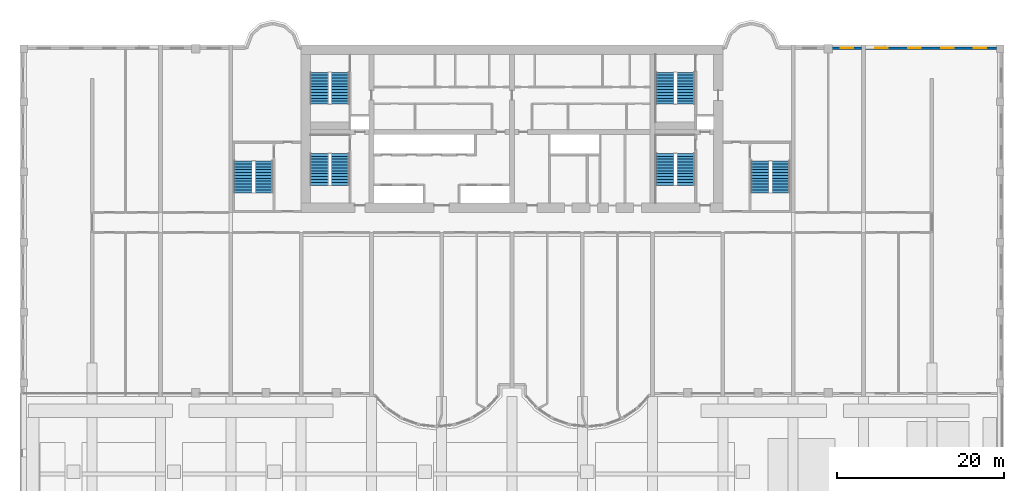
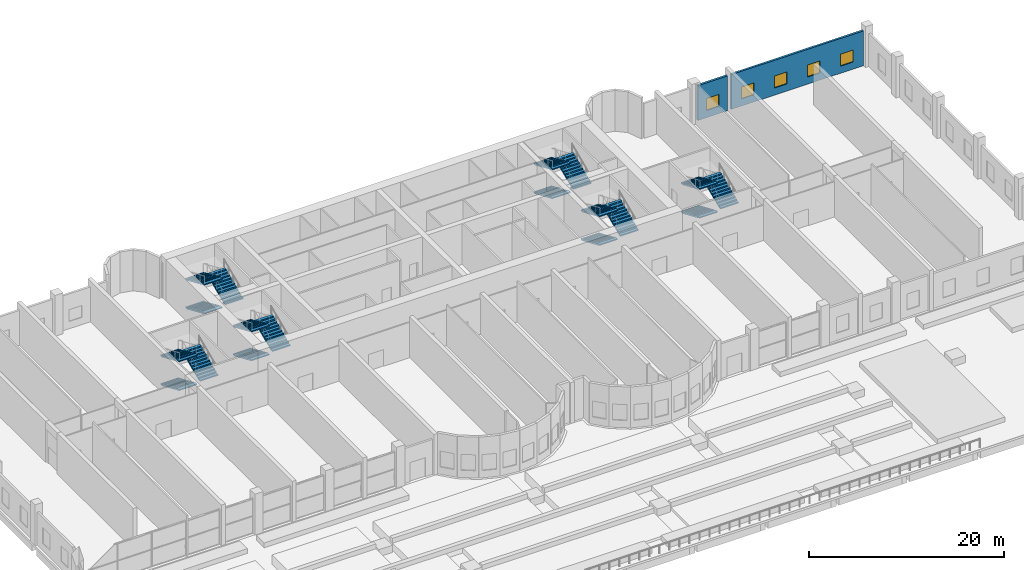
# One storey, part 17 of 20: 18 stair flights, 5 windows, 2 walls, 5 openings, 6 elements without a shape of their own.
"""IFC4 building model written with IfcOpenShell, lengths in metres."""

from ifc_helpers import new_model, si_unit, direction, frame, frame_2d, origin, place, context, subcontext, project, spatial, polyline, rectangle, outline, extrude, source, transform, mapped, material, layer, layer_set, type_object, element, fill, aggregate, save


model = new_model("IFC4")

# Units and contexts
model_context = context("Model", 3, precision=1e-05, world=origin(), true_north=direction((0.0, 1.0)))
body_context = subcontext(model_context, "Body", "Model", "MODEL_VIEW")
ifc_project = project(units=[si_unit("LENGTHUNIT", "METRE"), si_unit("AREAUNIT", "SQUARE_METRE"), si_unit("VOLUMEUNIT", "CUBIC_METRE"), si_unit("PLANEANGLEUNIT", "RADIAN"), si_unit("MASSUNIT", "GRAM", prefix="KILO")], contexts=[model_context])

# Site, building, storey
site_placement = place(None, origin())
site = spatial("IfcSite", under=ifc_project, at=site_placement, CompositionType="ELEMENT")
building_placement = place(site_placement, origin())
building = spatial("IfcBuilding", under=site, at=building_placement, Name="Vanashikhar Sky Hotel", CompositionType="ELEMENT")
storey_placement = place(building_placement, frame((0.0, 0.0, 6.0)))
storey = spatial("IfcBuildingStorey", under=building, at=storey_placement, Name="L01", CompositionType="ELEMENT", Elevation=6.0)

# Wall, opening, window
ifc_material_1 = material(Name="Concrete M50", Category="concrete")
ifc_layer = layer(ifc_material_1, 0.25)
ifc_layer_set = layer_set([ifc_layer], Name="Rear and end board-marked wall 250")
wall_type = type_object("IfcWallType", Name="Rear and end board-marked wall 250", PredefinedType="SOLIDWALL", material=ifc_layer_set)
shared_shape_1 = source(origin(), body_context, "Body", "SweptSolid", [
    extrude(rectangle(XDim=3.525146484375, YDim=0.25, at=frame_2d((1.7626953125, 0.0))), origin(), (0.0, 0.0, 1.0), 4.3701171875),
])
wall_1_placement = place(storey_placement, frame((92.175048828125, 41.625, 0.0), z_axis=(0.0, 0.0, 1.0), x_axis=(-1.0, 0.0, 0.0)))
wall_1 = element("IfcWall", 1, at=wall_1_placement, inside=storey, type_object=wall_type, Name="Podium external wall", PredefinedType="SOLIDWALL", context=body_context, shape_type="MappedRepresentation", body=[
    mapped(shared_shape_1, transform((0.0, 0.0, 0.0), scale=1.0)),
])
shared_shape_2 = source(origin(), body_context, "Body", "SweptSolid", [
    extrude(rectangle(XDim=1.5, YDim=1.5, at=frame_2d((0.75, 0.75))), frame((0.0, 0.135009765625, 0.0), z_axis=(0.0, -1.0, 0.0), x_axis=(1.0, 0.0, 0.0)), (0.0, 0.0, 1.0), 0.27001953125),
])
opening_1_placement = place(wall_1_placement, frame((1.012451171875, 0.0, 0.89990234375)))
opening_1 = element("IfcOpeningElement", 2, at=opening_1_placement, cuts=wall_1, Name="Opening WN-1", PredefinedType="OPENING", context=body_context, shape_type="MappedRepresentation", body=[
    mapped(shared_shape_2, transform((0.0, 0.0, 0.0), scale=1.0)),
])
ifc_material_2 = material(Name="Glass", Category="glass")
window_type = type_object("IfcWindowType", Name="Window 1500 x 1500", PartitioningType="SINGLE_PANEL", PredefinedType="WINDOW", material=ifc_material_2)
shared_shape_3 = source(origin(), body_context, "Body", "SweptSolid", [
    extrude(rectangle(XDim=1.5, YDim=1.5, at=frame_2d((0.75, 0.75))), frame((0.0, 0.030029296875, 0.0), z_axis=(0.0, -1.0, 0.0), x_axis=(1.0, 0.0, 0.0)), (0.0, 0.0, 1.0), 0.06005859375),
])
window_1_placement = place(opening_1_placement, origin())
window_1 = element("IfcWindow", 3, at=window_1_placement, inside=storey, type_object=window_type, Name="Window WN-1", OverallHeight=1.5, OverallWidth=1.5, PartitioningType="SINGLE_PANEL", PredefinedType="WINDOW", context=body_context, shape_type="MappedRepresentation", body=[
    mapped(shared_shape_3, transform((0.0, 0.0, 0.0), scale=1.0)),
])
fill(opening_1, window_1)

# Wall, openings, windows
shared_shape_4 = source(origin(), body_context, "Body", "SweptSolid", [
    extrude(rectangle(XDim=15.675048828125, YDim=0.25, at=frame_2d((7.83740234375, 0.0))), origin(), (0.0, 0.0, 1.0), 4.3701171875),
])
wall_2_placement = place(storey_placement, frame((108.300048828125, 41.625, 0.0), z_axis=(0.0, 0.0, 1.0), x_axis=(-1.0, 0.0, 0.0)))
wall_2 = element("IfcWall", 4, at=wall_2_placement, inside=storey, type_object=wall_type, Name="Podium external wall", PredefinedType="SOLIDWALL", context=body_context, shape_type="MappedRepresentation", body=[
    mapped(shared_shape_4, transform((0.0, 0.0, 0.0), scale=1.0)),
])
opening_2_placement = place(wall_2_placement, frame((1.20947265625, 0.0, 0.89990234375)))
opening_2 = element("IfcOpeningElement", 5, at=opening_2_placement, cuts=wall_2, Name="Opening WN-1", PredefinedType="OPENING", context=body_context, shape_type="MappedRepresentation", body=[
    mapped(shared_shape_2, transform((0.0, 0.0, 0.0), scale=1.0)),
])
opening_3_placement = place(wall_2_placement, frame((5.128173828125, 0.0, 0.89990234375)))
opening_3 = element("IfcOpeningElement", 6, at=opening_3_placement, cuts=wall_2, Name="Opening WN-1", PredefinedType="OPENING", context=body_context, shape_type="MappedRepresentation", body=[
    mapped(shared_shape_2, transform((0.0, 0.0, 0.0), scale=1.0)),
])
opening_4_placement = place(wall_2_placement, frame((9.046875, 0.0, 0.89990234375)))
opening_4 = element("IfcOpeningElement", 7, at=opening_4_placement, cuts=wall_2, Name="Opening WN-1", PredefinedType="OPENING", context=body_context, shape_type="MappedRepresentation", body=[
    mapped(shared_shape_2, transform((0.0, 0.0, 0.0), scale=1.0)),
])
opening_5_placement = place(wall_2_placement, frame((12.965576171875, 0.0, 0.89990234375)))
opening_5 = element("IfcOpeningElement", 8, at=opening_5_placement, cuts=wall_2, Name="Opening WN-1", PredefinedType="OPENING", context=body_context, shape_type="MappedRepresentation", body=[
    mapped(shared_shape_2, transform((0.0, 0.0, 0.0), scale=1.0)),
])
window_2_placement = place(opening_2_placement, origin())
window_2 = element("IfcWindow", 9, at=window_2_placement, inside=storey, type_object=window_type, Name="Window WN-1", OverallHeight=1.5, OverallWidth=1.5, PartitioningType="SINGLE_PANEL", PredefinedType="WINDOW", context=body_context, shape_type="MappedRepresentation", body=[
    mapped(shared_shape_3, transform((0.0, 0.0, 0.0), scale=1.0)),
])
fill(opening_2, window_2)
window_3_placement = place(opening_3_placement, origin())
window_3 = element("IfcWindow", 10, at=window_3_placement, inside=storey, type_object=window_type, Name="Window WN-1", OverallHeight=1.5, OverallWidth=1.5, PartitioningType="SINGLE_PANEL", PredefinedType="WINDOW", context=body_context, shape_type="MappedRepresentation", body=[
    mapped(shared_shape_3, transform((0.0, 0.0, 0.0), scale=1.0)),
])
fill(opening_3, window_3)
window_4_placement = place(opening_4_placement, origin())
window_4 = element("IfcWindow", 11, at=window_4_placement, inside=storey, type_object=window_type, Name="Window WN-1", OverallHeight=1.5, OverallWidth=1.5, PartitioningType="SINGLE_PANEL", PredefinedType="WINDOW", context=body_context, shape_type="MappedRepresentation", body=[
    mapped(shared_shape_3, transform((0.0, 0.0, 0.0), scale=1.0)),
])
fill(opening_4, window_4)
window_5_placement = place(opening_5_placement, origin())
window_5 = element("IfcWindow", 12, at=window_5_placement, inside=storey, type_object=window_type, Name="Window WN-1", OverallHeight=1.5, OverallWidth=1.5, PartitioningType="SINGLE_PANEL", PredefinedType="WINDOW", context=body_context, shape_type="MappedRepresentation", body=[
    mapped(shared_shape_3, transform((0.0, 0.0, 0.0), scale=1.0)),
])
fill(opening_5, window_5)

# Stair, stair flights
ifc_material_3 = material(Name="Concrete M40", Category="concrete")
stair_type = type_object("IfcStairType", Name="Exit stair 2150", PredefinedType="DOUBLE_RETURN_STAIR", material=ifc_material_3)
stair_1_placement = place(storey_placement, origin())
stair_1 = element("IfcStair", 13, at=stair_1_placement, inside=storey, type_object=stair_type, Name="L01 Exit stair 1", PredefinedType="DOUBLE_RETURN_STAIR")
stair_flight_type = type_object("IfcStairFlightType", Name="Stair flight 2150", PredefinedType="STRAIGHT", material=ifc_material_3)
shared_shape_5 = source(origin(), body_context, "Body", "SweptSolid", [
    extrude(outline(polyline([(0.0, 0.0), (0.0, 0.14990234375), (0.345458984375, 0.14990234375), (0.345458984375, 0.300048828125), (0.69091796875, 0.300048828125), (0.69091796875, 0.449951171875), (1.036376953125, 0.449951171875), (1.036376953125, 0.60009765625), (1.3818359375, 0.60009765625), (1.3818359375, 0.75), (1.727294921875, 0.75), (1.727294921875, 0.89990234375), (2.07275390625, 0.89990234375), (2.07275390625, 1.050048828125), (2.418212890625, 1.050048828125), (2.418212890625, 1.199951171875), (2.763671875, 1.199951171875), (2.763671875, 1.35009765625), (3.109130859375, 1.35009765625), (3.109130859375, 1.5), (3.45458984375, 1.5), (3.45458984375, 1.64990234375), (3.800048828125, 1.64990234375), (3.800048828125, 1.800048828125), (3.800048828125, 1.51904296875), (0.301513671875, 0.0), (0.0, 0.0)])), frame((0.0, 1.074951171875, 0.0), z_axis=(0.0, -1.0, 0.0), x_axis=(1.0, 0.0, 0.0)), (0.0, 0.0, 1.0), 2.14990234375),
])
stair_flight_1_placement = place(storey_placement, frame((27.375, 29.050048828125, 0.0), z_axis=(0.0, 0.0, 1.0), x_axis=(0.0, -1.0, 0.0)))
stair_flight_1 = element("IfcStairFlight", 14, at=stair_flight_1_placement, type_object=stair_flight_type, Name="ST-C1 flight 1", NumberOfRisers=12, NumberOfTreads=11, PredefinedType="STRAIGHT", RiserHeight=0.15, TreadLength=0.345454545, context=body_context, shape_type="MappedRepresentation", body=[
    mapped(shared_shape_5, transform((0.0, 0.0, 0.0), scale=1.0)),
])
stair_flight_2_placement = place(storey_placement, frame((29.875, 25.25, 1.800048828125), z_axis=(0.0, 0.0, 1.0), x_axis=(0.0, 1.0, 0.0)))
stair_flight_2 = element("IfcStairFlight", 15, at=stair_flight_2_placement, type_object=stair_flight_type, Name="ST-C1 flight 2", NumberOfRisers=12, NumberOfTreads=11, PredefinedType="STRAIGHT", RiserHeight=0.15, TreadLength=0.345454545, context=body_context, shape_type="MappedRepresentation", body=[
    mapped(shared_shape_5, transform((0.0, 0.0, 0.0), scale=1.0)),
])
stair_flight_3_placement = place(storey_placement, frame((27.375, 29.050048828125, 3.60009765625), z_axis=(0.0, 0.0, 1.0), x_axis=(0.0, -1.0, 0.0)))
stair_flight_3 = element("IfcStairFlight", 16, at=stair_flight_3_placement, type_object=stair_flight_type, Name="ST-C1 flight 3", NumberOfRisers=12, NumberOfTreads=11, PredefinedType="STRAIGHT", RiserHeight=0.15, TreadLength=0.345454545, context=body_context, shape_type="MappedRepresentation", body=[
    mapped(shared_shape_5, transform((0.0, 0.0, 0.0), scale=1.0)),
])
aggregate(stair_1, [stair_flight_1, stair_flight_2, stair_flight_3])

stair_2_placement = place(storey_placement, origin())
stair_2 = element("IfcStair", 17, at=stair_2_placement, inside=storey, type_object=stair_type, Name="L01 Exit stair 2", PredefinedType="DOUBLE_RETURN_STAIR")
stair_flight_4_placement = place(storey_placement, frame((68.675048828125, 29.050048828125, 0.0), z_axis=(0.0, 0.0, 1.0), x_axis=(0.0, -1.0, 0.0)))
stair_flight_4 = element("IfcStairFlight", 18, at=stair_flight_4_placement, type_object=stair_flight_type, Name="ST-C2 flight 1", NumberOfRisers=12, NumberOfTreads=11, PredefinedType="STRAIGHT", RiserHeight=0.15, TreadLength=0.345454545, context=body_context, shape_type="MappedRepresentation", body=[
    mapped(shared_shape_5, transform((0.0, 0.0, 0.0), scale=1.0)),
])
stair_flight_5_placement = place(storey_placement, frame((71.175048828125, 25.25, 1.800048828125), z_axis=(0.0, 0.0, 1.0), x_axis=(0.0, 1.0, 0.0)))
stair_flight_5 = element("IfcStairFlight", 19, at=stair_flight_5_placement, type_object=stair_flight_type, Name="ST-C2 flight 2", NumberOfRisers=12, NumberOfTreads=11, PredefinedType="STRAIGHT", RiserHeight=0.15, TreadLength=0.345454545, context=body_context, shape_type="MappedRepresentation", body=[
    mapped(shared_shape_5, transform((0.0, 0.0, 0.0), scale=1.0)),
])
stair_flight_6_placement = place(storey_placement, frame((68.675048828125, 29.050048828125, 3.60009765625), z_axis=(0.0, 0.0, 1.0), x_axis=(0.0, -1.0, 0.0)))
stair_flight_6 = element("IfcStairFlight", 20, at=stair_flight_6_placement, type_object=stair_flight_type, Name="ST-C2 flight 3", NumberOfRisers=12, NumberOfTreads=11, PredefinedType="STRAIGHT", RiserHeight=0.15, TreadLength=0.345454545, context=body_context, shape_type="MappedRepresentation", body=[
    mapped(shared_shape_5, transform((0.0, 0.0, 0.0), scale=1.0)),
])
aggregate(stair_2, [stair_flight_4, stair_flight_5, stair_flight_6])

stair_3_placement = place(storey_placement, origin())
stair_3 = element("IfcStair", 21, at=stair_3_placement, inside=storey, type_object=stair_type, Name="L01 Exit stair 3", PredefinedType="DOUBLE_RETURN_STAIR")
stair_flight_7_placement = place(storey_placement, frame((18.27490234375, 28.14990234375, 0.0), z_axis=(0.0, 0.0, 1.0), x_axis=(0.0, -1.0, 0.0)))
stair_flight_7 = element("IfcStairFlight", 22, at=stair_flight_7_placement, type_object=stair_flight_type, Name="ST-W flight 1", NumberOfRisers=12, NumberOfTreads=11, PredefinedType="STRAIGHT", RiserHeight=0.15, TreadLength=0.345454545, context=body_context, shape_type="MappedRepresentation", body=[
    mapped(shared_shape_5, transform((0.0, 0.0, 0.0), scale=1.0)),
])
stair_flight_8_placement = place(storey_placement, frame((20.77490234375, 24.35009765625, 1.800048828125), z_axis=(0.0, 0.0, 1.0), x_axis=(0.0, 1.0, 0.0)))
stair_flight_8 = element("IfcStairFlight", 23, at=stair_flight_8_placement, type_object=stair_flight_type, Name="ST-W flight 2", NumberOfRisers=12, NumberOfTreads=11, PredefinedType="STRAIGHT", RiserHeight=0.15, TreadLength=0.345454545, context=body_context, shape_type="MappedRepresentation", body=[
    mapped(shared_shape_5, transform((0.0, 0.0, 0.0), scale=1.0)),
])
stair_flight_9_placement = place(storey_placement, frame((18.27490234375, 28.14990234375, 3.60009765625), z_axis=(0.0, 0.0, 1.0), x_axis=(0.0, -1.0, 0.0)))
stair_flight_9 = element("IfcStairFlight", 24, at=stair_flight_9_placement, type_object=stair_flight_type, Name="ST-W flight 3", NumberOfRisers=12, NumberOfTreads=11, PredefinedType="STRAIGHT", RiserHeight=0.15, TreadLength=0.345454545, context=body_context, shape_type="MappedRepresentation", body=[
    mapped(shared_shape_5, transform((0.0, 0.0, 0.0), scale=1.0)),
])
aggregate(stair_3, [stair_flight_7, stair_flight_8, stair_flight_9])

stair_4_placement = place(storey_placement, origin())
stair_4 = element("IfcStair", 25, at=stair_4_placement, inside=storey, type_object=stair_type, Name="L01 Exit stair 4", PredefinedType="DOUBLE_RETURN_STAIR")
stair_flight_10_placement = place(storey_placement, frame((80.02490234375, 28.14990234375, 0.0), z_axis=(0.0, 0.0, 1.0), x_axis=(0.0, -1.0, 0.0)))
stair_flight_10 = element("IfcStairFlight", 26, at=stair_flight_10_placement, type_object=stair_flight_type, Name="ST-E flight 1", NumberOfRisers=12, NumberOfTreads=11, PredefinedType="STRAIGHT", RiserHeight=0.15, TreadLength=0.345454545, context=body_context, shape_type="MappedRepresentation", body=[
    mapped(shared_shape_5, transform((0.0, 0.0, 0.0), scale=1.0)),
])
stair_flight_11_placement = place(storey_placement, frame((82.52490234375, 24.35009765625, 1.800048828125), z_axis=(0.0, 0.0, 1.0), x_axis=(0.0, 1.0, 0.0)))
stair_flight_11 = element("IfcStairFlight", 27, at=stair_flight_11_placement, type_object=stair_flight_type, Name="ST-E flight 2", NumberOfRisers=12, NumberOfTreads=11, PredefinedType="STRAIGHT", RiserHeight=0.15, TreadLength=0.345454545, context=body_context, shape_type="MappedRepresentation", body=[
    mapped(shared_shape_5, transform((0.0, 0.0, 0.0), scale=1.0)),
])
stair_flight_12_placement = place(storey_placement, frame((80.02490234375, 28.14990234375, 3.60009765625), z_axis=(0.0, 0.0, 1.0), x_axis=(0.0, -1.0, 0.0)))
stair_flight_12 = element("IfcStairFlight", 28, at=stair_flight_12_placement, type_object=stair_flight_type, Name="ST-E flight 3", NumberOfRisers=12, NumberOfTreads=11, PredefinedType="STRAIGHT", RiserHeight=0.15, TreadLength=0.345454545, context=body_context, shape_type="MappedRepresentation", body=[
    mapped(shared_shape_5, transform((0.0, 0.0, 0.0), scale=1.0)),
])
aggregate(stair_4, [stair_flight_10, stair_flight_11, stair_flight_12])

stair_5_placement = place(storey_placement, origin())
stair_5 = element("IfcStair", 29, at=stair_5_placement, inside=storey, type_object=stair_type, Name="L01 Exit stair 5", PredefinedType="DOUBLE_RETURN_STAIR")
stair_flight_13_placement = place(storey_placement, frame((27.375, 38.75, 0.0), z_axis=(0.0, 0.0, 1.0), x_axis=(0.0, -1.0, 0.0)))
stair_flight_13 = element("IfcStairFlight", 30, at=stair_flight_13_placement, type_object=stair_flight_type, Name="ST-C3 flight 1", NumberOfRisers=12, NumberOfTreads=11, PredefinedType="STRAIGHT", RiserHeight=0.15, TreadLength=0.345454545, context=body_context, shape_type="MappedRepresentation", body=[
    mapped(shared_shape_5, transform((0.0, 0.0, 0.0), scale=1.0)),
])
stair_flight_14_placement = place(storey_placement, frame((29.875, 34.949951171875, 1.800048828125), z_axis=(0.0, 0.0, 1.0), x_axis=(0.0, 1.0, 0.0)))
stair_flight_14 = element("IfcStairFlight", 31, at=stair_flight_14_placement, type_object=stair_flight_type, Name="ST-C3 flight 2", NumberOfRisers=12, NumberOfTreads=11, PredefinedType="STRAIGHT", RiserHeight=0.15, TreadLength=0.345454545, context=body_context, shape_type="MappedRepresentation", body=[
    mapped(shared_shape_5, transform((0.0, 0.0, 0.0), scale=1.0)),
])
stair_flight_15_placement = place(storey_placement, frame((27.375, 38.75, 3.60009765625), z_axis=(0.0, 0.0, 1.0), x_axis=(0.0, -1.0, 0.0)))
stair_flight_15 = element("IfcStairFlight", 32, at=stair_flight_15_placement, type_object=stair_flight_type, Name="ST-C3 flight 3", NumberOfRisers=12, NumberOfTreads=11, PredefinedType="STRAIGHT", RiserHeight=0.15, TreadLength=0.345454545, context=body_context, shape_type="MappedRepresentation", body=[
    mapped(shared_shape_5, transform((0.0, 0.0, 0.0), scale=1.0)),
])
aggregate(stair_5, [stair_flight_13, stair_flight_14, stair_flight_15])

stair_6_placement = place(storey_placement, origin())
stair_6 = element("IfcStair", 33, at=stair_6_placement, inside=storey, type_object=stair_type, Name="L01 Exit stair 6", PredefinedType="DOUBLE_RETURN_STAIR")
stair_flight_16_placement = place(storey_placement, frame((68.675048828125, 38.75, 0.0), z_axis=(0.0, 0.0, 1.0), x_axis=(0.0, -1.0, 0.0)))
stair_flight_16 = element("IfcStairFlight", 34, at=stair_flight_16_placement, type_object=stair_flight_type, Name="ST-C4 flight 1", NumberOfRisers=12, NumberOfTreads=11, PredefinedType="STRAIGHT", RiserHeight=0.15, TreadLength=0.345454545, context=body_context, shape_type="MappedRepresentation", body=[
    mapped(shared_shape_5, transform((0.0, 0.0, 0.0), scale=1.0)),
])
stair_flight_17_placement = place(storey_placement, frame((71.175048828125, 34.949951171875, 1.800048828125), z_axis=(0.0, 0.0, 1.0), x_axis=(0.0, 1.0, 0.0)))
stair_flight_17 = element("IfcStairFlight", 35, at=stair_flight_17_placement, type_object=stair_flight_type, Name="ST-C4 flight 2", NumberOfRisers=12, NumberOfTreads=11, PredefinedType="STRAIGHT", RiserHeight=0.15, TreadLength=0.345454545, context=body_context, shape_type="MappedRepresentation", body=[
    mapped(shared_shape_5, transform((0.0, 0.0, 0.0), scale=1.0)),
])
stair_flight_18_placement = place(storey_placement, frame((68.675048828125, 38.75, 3.60009765625), z_axis=(0.0, 0.0, 1.0), x_axis=(0.0, -1.0, 0.0)))
stair_flight_18 = element("IfcStairFlight", 36, at=stair_flight_18_placement, type_object=stair_flight_type, Name="ST-C4 flight 3", NumberOfRisers=12, NumberOfTreads=11, PredefinedType="STRAIGHT", RiserHeight=0.15, TreadLength=0.345454545, context=body_context, shape_type="MappedRepresentation", body=[
    mapped(shared_shape_5, transform((0.0, 0.0, 0.0), scale=1.0)),
])
aggregate(stair_6, [stair_flight_16, stair_flight_17, stair_flight_18])

save(model, "model.ifc")
